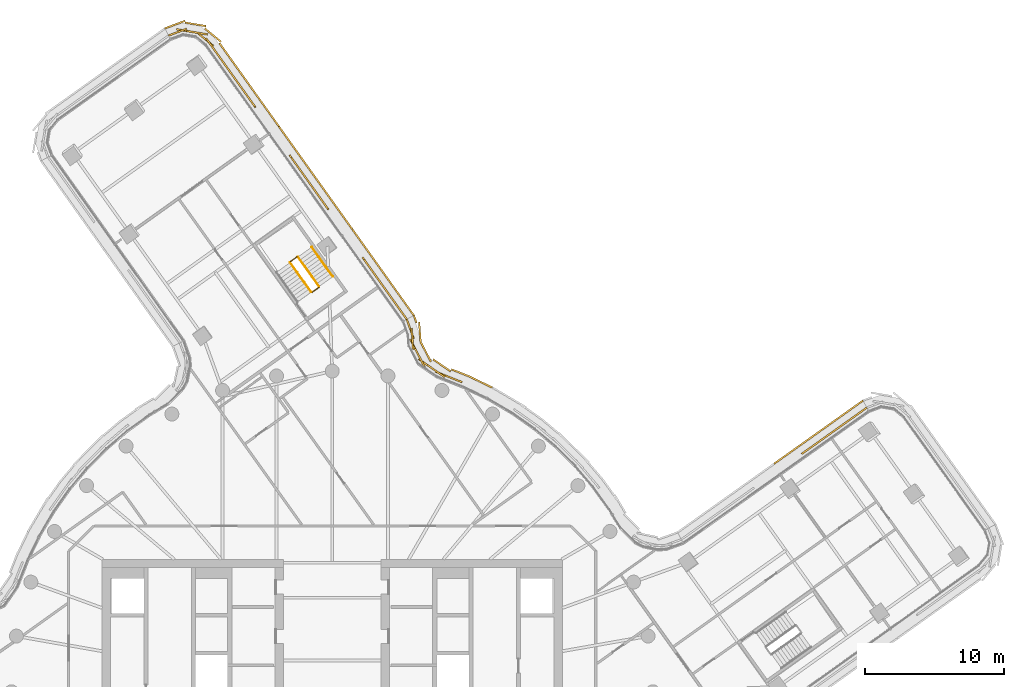
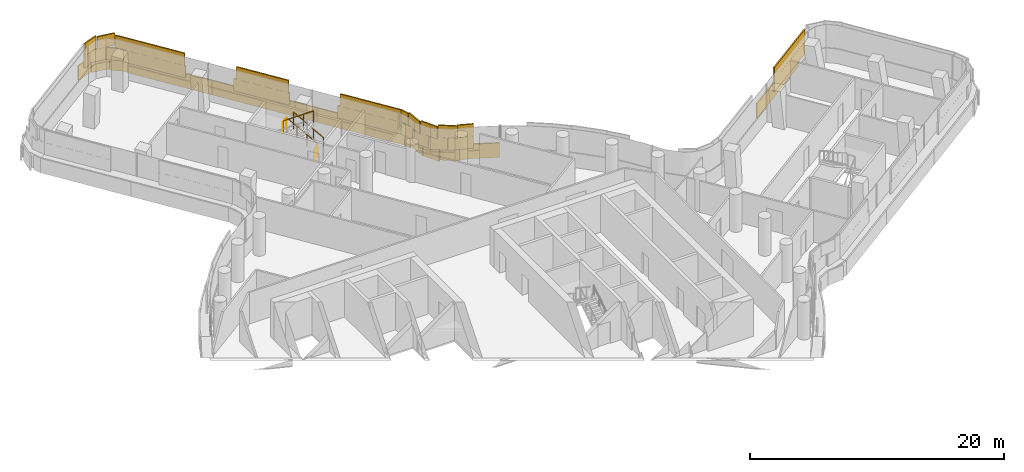
# One storey, part 31 of 31: 5 coverings, 5 railings.
"""IFC4 building model written with IfcOpenShell, lengths in metres."""

import ifcopenshell
import ifcopenshell.guid

model = None  # the IFC model being written
_history = None  # IfcOwnerHistory: only IFC2X3 demands one
_inside = {}  # id of a spatial element -> (the spatial element, [elements in it])
_under = {}  # id of a project, library or spatial element -> (it, [spatial elements below it])
_declared = {}  # id of a project -> (the project, [libraries it declares])
_typed = {}  # id of a type object -> (the type object, [elements of that type])
_made_of = {}  # id of a material, layer set ... -> (it, [elements and type objects made of it])


def new_model(schema):
    """Start an empty IFC model of exactly this schema.

    Asked for "IFC4X3", IfcOpenShell would pick the latest addendum, in which some entities
    have other attributes; the version numbers below select the first issue.
    IFC2X3 requires an IfcOwnerHistory on every rooted entity: one is made here for all.
    """
    global model, _history
    if schema == "IFC4X3":
        model = ifcopenshell.file(schema_version=(4, 3, 0, 0))
    else:
        model = ifcopenshell.file(schema=schema)
    _inside.clear()
    _under.clear()
    _declared.clear()
    _typed.clear()
    _made_of.clear()
    _history = None
    if model.schema == "IFC2X3":
        org = make("IfcOrganization", Name="unknown")
        user = make(
            "IfcPersonAndOrganization",
            ThePerson=make("IfcPerson", FamilyName="unknown"),
            TheOrganization=org,
        )
        app = make(
            "IfcApplication",
            ApplicationDeveloper=org,
            Version="unknown",
            ApplicationFullName="unknown",
            ApplicationIdentifier="unknown",
        )
        _history = make(
            "IfcOwnerHistory",
            OwningUser=user,
            OwningApplication=app,
            ChangeAction="ADDED",
            CreationDate=0,
        )
    return model


def make(cls, **values):
    """One entity of the class cls with the attributes given. An attribute that is None is left unset."""
    return model.create_entity(
        cls, **{name: value for name, value in values.items() if value is not None}
    )


def rooted(cls, **values):
    """An entity with a GlobalId (a new one), such as an element, a storey or a relation."""
    return make(cls, GlobalId=ifcopenshell.guid.new(), OwnerHistory=_history, **values)


def si_unit(unit_type, name, prefix=None):
    """IfcSIUnit, for example si_unit("LENGTHUNIT", "METRE", prefix="MILLI")."""
    return make("IfcSIUnit", UnitType=unit_type, Prefix=prefix, Name=name)


def assignment(units):
    """IfcUnitAssignment: the units of a project."""
    return None if units is None else make("IfcUnitAssignment", Units=units)


def point(xyz):
    """IfcCartesianPoint."""
    return None if xyz is None else make("IfcCartesianPoint", Coordinates=xyz)


def direction(xyz):
    """IfcDirection."""
    return None if xyz is None else make("IfcDirection", DirectionRatios=xyz)


def frame(location, z_axis=None, x_axis=None):
    """IfcAxis2Placement3D, a coordinate frame: its origin and axes. An axis left out is left unset."""
    return make(
        "IfcAxis2Placement3D",
        Location=point(location),
        Axis=direction(z_axis),
        RefDirection=direction(x_axis),
    )


def frame_2d(location, x_axis=None):
    """IfcAxis2Placement2D, a coordinate frame in the plane: its origin and x axis."""
    return make(
        "IfcAxis2Placement2D", Location=point(location), RefDirection=direction(x_axis)
    )


def origin():
    """The frame at (0, 0, 0) with its axes left unset."""
    return frame((0.0, 0.0, 0.0))


def origin_2d():
    """The frame at (0, 0) in the plane with its x axis left unset."""
    return frame_2d((0.0, 0.0))


def place(relative_to, where):
    """IfcLocalPlacement: puts the frame where relative to a parent placement (None: the world)."""
    return make(
        "IfcLocalPlacement", PlacementRelTo=relative_to, RelativePlacement=where
    )


def context(
    kind, dimensions, precision=None, world=None, true_north=None, identifier=None
):
    """IfcGeometricRepresentationContext, for example the 3D "Model" context."""
    return make(
        "IfcGeometricRepresentationContext",
        ContextIdentifier=identifier,
        ContextType=kind,
        CoordinateSpaceDimension=dimensions,
        Precision=precision,
        WorldCoordinateSystem=world,
        TrueNorth=true_north,
    )


def subcontext(parent, identifier, kind, view, scale=None):
    """IfcGeometricRepresentationSubContext, for example "Body" below "Model"."""
    return make(
        "IfcGeometricRepresentationSubContext",
        ContextIdentifier=identifier,
        ContextType=kind,
        ParentContext=parent,
        TargetScale=scale,
        TargetView=view,
    )


def project(units=None, contexts=None):
    """IfcProject with its units and contexts."""
    return rooted(
        "IfcProject",
        Name="project",
        RepresentationContexts=contexts,
        UnitsInContext=assignment(units),
    )


def spatial(cls, under=None, at=None, **own):
    """A site, building, storey or space (cls), placed at a placement, below another one or the project."""
    s = rooted(cls, ObjectPlacement=at, **own)
    if under is not None:
        _under.setdefault(under.id(), (under, []))[1].append(s)
    return s


def profile(cls, at=None, kind="AREA", **sizes):
    """A parametric profile (cls). Its sizes go by their IFC names, for example OverallWidth=200.0."""
    return make(cls, ProfileType=kind, Position=at, **sizes)


def rectangle(**sizes):
    """IfcRectangleProfileDef."""
    return profile("IfcRectangleProfileDef", **sizes)


def circle(**sizes):
    """IfcCircleProfileDef."""
    return profile("IfcCircleProfileDef", **sizes)


def extrude(swept, where, along, depth):
    """IfcExtrudedAreaSolid: the profile swept, set in the frame where, extruded along a direction by depth."""
    return make(
        "IfcExtrudedAreaSolid",
        SweptArea=swept,
        Position=where,
        ExtrudedDirection=direction(along),
        Depth=depth,
    )


def shape(context_of_items, identifier, shape_type, items):
    """IfcShapeRepresentation: the items that make up one representation, for example the "Body"."""
    return make(
        "IfcShapeRepresentation",
        ContextOfItems=context_of_items,
        RepresentationIdentifier=identifier,
        RepresentationType=shape_type,
        Items=items,
    )


def material(Name=None, Category=None):
    """IfcMaterial."""
    return make("IfcMaterial", Name=Name, Category=Category)


def layer(
    of_material, thickness, ventilated=None, Name=None, Category=None, Priority=None
):
    """IfcMaterialLayer: one layer of a wall or slab, of a material (None: an air gap)."""
    return make(
        "IfcMaterialLayer",
        Material=of_material,
        LayerThickness=thickness,
        IsVentilated=ventilated,
        Name=Name,
        Category=Category,
        Priority=Priority,
    )


def layer_set(layers, Name=None):
    """IfcMaterialLayerSet."""
    return make("IfcMaterialLayerSet", MaterialLayers=layers, LayerSetName=Name)


def made_of(thing, what):
    """Note that an element or type object is made of a material, layer set ...; save() writes the relation."""
    if what is not None:
        _made_of.setdefault(what.id(), (what, []))[1].append(thing)
    return thing


def type_object(cls, material=None, **own):
    """A type object (cls), such as IfcWallType, which elements share."""
    return made_of(rooted(cls, **own), material)


def element(
    cls,
    number,
    at=None,
    inside=None,
    cuts=None,
    type_object=None,
    material=None,
    context=None,
    identifier="Body",
    shape_type=None,
    held_by="IfcProductDefinitionShape",
    body=None,
    shapes=None,
    **own,
):
    """One element of the class cls, such as IfcWall. Its Tag is "e" and its number.

    at: its placement. inside: the storey or other place that contains it. cuts: it is an
    opening in that element (IfcRelVoidsElement). A single representation is given by context,
    identifier, shape_type and body (its items); several are given by shapes. held_by: the class
    of the entity that holds the representations. save() writes the other relations.
    """
    e = rooted(cls, Tag="e%d" % number, ObjectPlacement=at, **own)
    if body is not None:
        shapes = [shape(context, identifier, shape_type, body)]
    if shapes is not None:
        e.Representation = make(held_by, Representations=shapes)
    if inside is not None:
        _inside.setdefault(inside.id(), (inside, []))[1].append(e)
    if cuts is not None:
        rooted(
            "IfcRelVoidsElement", RelatingBuildingElement=cuts, RelatedOpeningElement=e
        )
    if type_object is not None:
        _typed.setdefault(type_object.id(), (type_object, []))[1].append(e)
    return made_of(e, material)


def aggregate(whole, parts):
    """IfcRelAggregates: a whole, such as a stair, and the parts it consists of."""
    return rooted("IfcRelAggregates", RelatingObject=whole, RelatedObjects=parts)


def save(model, path):
    """Write the relations noted so far, then the file.

    IfcRelAggregates (storeys below a building ...), IfcRelContainedInSpatialStructure (elements
    in a storey), IfcRelDefinesByType, IfcRelAssociatesMaterial and IfcRelDeclares: one each for
    every whole, place, type object, material and project.
    """
    for whole, parts in _under.values():
        aggregate(whole, parts)
    for where, things in _inside.values():
        rooted(
            "IfcRelContainedInSpatialStructure",
            RelatedElements=things,
            RelatingStructure=where,
        )
    for kind, things in _typed.values():
        rooted("IfcRelDefinesByType", RelatedObjects=things, RelatingType=kind)
    for what, things in _made_of.values():
        rooted("IfcRelAssociatesMaterial", RelatedObjects=things, RelatingMaterial=what)
    for by, libraries in _declared.values():
        rooted("IfcRelDeclares", RelatingContext=by, RelatedDefinitions=libraries)
    model.write(path)


model = new_model("IFC4")

# Units and contexts
model_context = context("Model", 3, precision=1e-05, world=origin(), true_north=direction((0.0, 1.0)))
body_context = subcontext(model_context, "Body", "Model", "MODEL_VIEW")
ifc_project = project(units=[si_unit("LENGTHUNIT", "METRE"), si_unit("AREAUNIT", "SQUARE_METRE"), si_unit("VOLUMEUNIT", "CUBIC_METRE"), si_unit("PLANEANGLEUNIT", "RADIAN"), si_unit("MASSUNIT", "GRAM", prefix="KILO")], contexts=[model_context])

# Site, building, storey
site_placement = place(None, origin())
site = spatial("IfcSite", under=ifc_project, at=site_placement, CompositionType="ELEMENT")
building_placement = place(site_placement, origin())
building = spatial("IfcBuilding", under=site, at=building_placement, Name="Tamarind Cross Interchange Tower", CompositionType="ELEMENT")
storey_placement = place(building_placement, frame((0.0, 0.0, 163.0)))
storey = spatial("IfcBuildingStorey", under=building, at=storey_placement, Name="L40", CompositionType="ELEMENT", Elevation=163.0)

# Railings
ifc_material_1 = material(Name="Stair guard")
railing_type_1 = type_object("IfcRailingType", Name="Stair guard", PredefinedType="GUARDRAIL", material=ifc_material_1)
railing_1_placement = place(storey_placement, frame((-0.93408203125, 29.073974609375, 0.17041015625)))
element("IfcRailing", 1, at=railing_1_placement, inside=storey, type_object=railing_type_1, Name="L40 ST4 stair guard 1", PredefinedType="GUARDRAIL", context=body_context, shape_type="SweptSolid", body=[
    extrude(circle(Radius=0.02392578125, at=origin_2d()), frame((0.0, 0.0, 1.076171875), z_axis=(-0.485880456641, 0.680641008196, 0.548313778612), x_axis=(-0.813898411492, -0.581007208019, 0.0)), (0.0, 0.0, 1.0), 3.10888671875),
    extrude(circle(Radius=0.02099609375, at=origin_2d()), origin(), (0.0, 0.0, 1.0), 1.052001953125),
    extrude(circle(Radius=0.02099609375, at=origin_2d()), frame((-0.50341796875, 0.705322265625, 0.568115234375)), (0.0, 0.0, 1.0), 1.052001953125),
    extrude(circle(Radius=0.02099609375, at=origin_2d()), frame((-1.007080078125, 1.41064453125, 1.136474609375)), (0.0, 0.0, 1.0), 1.052001953125),
    extrude(circle(Radius=0.02099609375, at=origin_2d()), frame((-1.510498046875, 2.115966796875, 1.70458984375)), (0.0, 0.0, 1.0), 1.052001953125),
])
railing_2_placement = place(storey_placement, frame((-2.514404296875, 31.20166015625, 1.875)))
element("IfcRailing", 2, at=railing_2_placement, inside=storey, type_object=railing_type_1, Name="L40 ST4 stair guard 2", PredefinedType="GUARDRAIL", context=body_context, shape_type="SweptSolid", body=[
    extrude(circle(Radius=0.02392578125, at=origin_2d()), frame((0.0, 0.0, 1.076171875), z_axis=(-0.813843435483, -0.581084212935, 0.0), x_axis=(0.581084212935, -0.813843435483, 0.0)), (0.0, 0.0, 1.0), 0.599853515625),
    extrude(circle(Radius=0.02099609375, at=origin_2d()), origin(), (0.0, 0.0, 1.0), 1.052001953125),
    extrude(circle(Radius=0.02099609375, at=origin_2d()), frame((-0.48828125, -0.3486328125, 0.0)), (0.0, 0.0, 1.0), 1.052001953125),
])
railing_3_placement = place(storey_placement, frame((-3.014404296875, 30.783203125, 2.04541015625)))
element("IfcRailing", 3, at=railing_3_placement, inside=storey, type_object=railing_type_1, Name="L40 ST4 stair guard 3", PredefinedType="GUARDRAIL", context=body_context, shape_type="SweptSolid", body=[
    extrude(circle(Radius=0.02392578125, at=origin_2d()), frame((0.0, 0.0, 1.076171875), z_axis=(0.485940445754, -0.680615036095, 0.548292855892), x_axis=(0.813854004365, 0.581069410293, 0.0)), (0.0, 0.0, 1.0), 3.10888671875),
    extrude(circle(Radius=0.02099609375, at=origin_2d()), origin(), (0.0, 0.0, 1.0), 1.052001953125),
    extrude(circle(Radius=0.02099609375, at=origin_2d()), frame((0.503662109375, -0.705322265625, 0.568115234375)), (0.0, 0.0, 1.0), 1.052001953125),
    extrude(circle(Radius=0.02099609375, at=origin_2d()), frame((1.007080078125, -1.41064453125, 1.136474609375)), (0.0, 0.0, 1.0), 1.052001953125),
    extrude(circle(Radius=0.02099609375, at=origin_2d()), frame((1.5107421875, -2.115966796875, 1.70458984375)), (0.0, 0.0, 1.0), 1.052001953125),
])
railing_4_placement = place(storey_placement, frame((-0.945556640625, 29.004150390625, 0.0)))
element("IfcRailing", 4, at=railing_4_placement, inside=storey, type_object=railing_type_1, Name="L40 ST4 stair guard 4", PredefinedType="GUARDRAIL", context=body_context, shape_type="SweptSolid", body=[
    extrude(circle(Radius=0.02392578125, at=origin_2d()), frame((0.0, 0.0, 1.076171875), z_axis=(-0.813980767979, -0.580891822426, 0.0), x_axis=(0.580891822426, -0.813980767979, 0.0)), (0.0, 0.0, 1.0), 0.60009765625),
    extrude(circle(Radius=0.02099609375, at=origin_2d()), origin(), (0.0, 0.0, 1.0), 1.052001953125),
    extrude(circle(Radius=0.02099609375, at=origin_2d()), frame((-0.488525390625, -0.3486328125, 0.0)), (0.0, 0.0, 1.0), 1.052001953125),
])
ifc_material_2 = material(Name="Stair handrail")
railing_type_2 = type_object("IfcRailingType", Name="Stair handrail", PredefinedType="HANDRAIL", material=ifc_material_2)
railing_5_placement = place(storey_placement, frame((0.042724609375, 29.771240234375, 0.17041015625)))
element("IfcRailing", 5, at=railing_5_placement, inside=storey, type_object=railing_type_2, Name="L40 ST4 stair handrail 1", PredefinedType="HANDRAIL", context=body_context, shape_type="SweptSolid", body=[
    extrude(circle(Radius=0.02392578125, at=origin_2d()), frame((0.0, 0.0, 0.8759765625), z_axis=(-0.485940445754, 0.680615036095, 0.548292855892), x_axis=(-0.813854004365, -0.581069410293, 0.0)), (0.0, 0.0, 1.0), 3.10888671875),
    extrude(circle(Radius=0.02099609375, at=origin_2d()), origin(), (0.0, 0.0, 1.0), 0.851806640625),
    extrude(circle(Radius=0.02099609375, at=origin_2d()), frame((-0.503662109375, 0.705322265625, 0.568115234375)), (0.0, 0.0, 1.0), 0.851806640625),
    extrude(circle(Radius=0.02099609375, at=origin_2d()), frame((-1.007080078125, 1.41064453125, 1.136474609375)), (0.0, 0.0, 1.0), 0.851806640625),
    extrude(circle(Radius=0.02099609375, at=origin_2d()), frame((-1.5107421875, 2.115966796875, 1.70458984375)), (0.0, 0.0, 1.0), 0.851806640625),
])

# Coverings
ifc_material_3 = material(Name="Terracotta", Category="masonry")
ifc_layer = layer(ifc_material_3, 0.1201171875)
ifc_layer_set = layer_set([ifc_layer], Name="Terracotta")
covering_type = type_object("IfcCoveringType", Name="Terracotta baguette screen unit", PredefinedType="MOLDING", material=ifc_layer_set)
covering_1_placement = place(storey_placement, origin())
element("IfcCovering", 6, at=covering_1_placement, inside=storey, type_object=covering_type, Name="SCR-L40-05-00", PredefinedType="MOLDING", context=body_context, shape_type="SweptSolid", body=[
    extrude(rectangle(XDim=1.510009765625, YDim=0.1201171875, at=origin_2d()), frame((37.72900390625, 19.9423828125, 1.404052734375), z_axis=(0.0, 0.0, 1.0), x_axis=(-0.815214734027, -0.579158818828, 0.0)), (0.0, 0.0, 1.0), 1.1669921875),
    extrude(rectangle(XDim=1.52001953125, YDim=0.1201171875, at=origin_2d()), frame((36.50634765625, 19.07373046875, 1.404052734375), z_axis=(0.0, 0.0, 1.0), x_axis=(-0.815214734027, -0.579158818828, 0.0)), (0.0, 0.0, 1.0), 1.1669921875),
    extrude(rectangle(XDim=1.52001953125, YDim=0.1201171875, at=origin_2d()), frame((35.283447265625, 18.205078125, 1.404052734375), z_axis=(0.0, 0.0, 1.0), x_axis=(-0.815214734027, -0.579158818828, 0.0)), (0.0, 0.0, 1.0), 1.1669921875),
    extrude(rectangle(XDim=1.236572265625, YDim=0.1201171875, at=origin_2d()), frame((34.172119140625, 17.41552734375, 1.404052734375), z_axis=(0.0, 0.0, 1.0), x_axis=(-0.815214734027, -0.579158818828, 0.0)), (0.0, 0.0, 1.0), 1.1669921875),
    extrude(rectangle(XDim=0.760009765625, YDim=0.1201171875, at=origin_2d()), frame((38.03466796875, 20.15966796875, 2.5791015625), z_axis=(0.0, 0.0, 1.0), x_axis=(-0.815214734027, -0.579158818828, 0.0)), (0.0, 0.0, 1.0), 1.1669921875),
    extrude(rectangle(XDim=1.52001953125, YDim=0.1201171875, at=origin_2d()), frame((37.11767578125, 19.508056640625, 2.5791015625), z_axis=(0.0, 0.0, 1.0), x_axis=(-0.815214734027, -0.579158818828, 0.0)), (0.0, 0.0, 1.0), 1.1669921875),
    extrude(rectangle(XDim=1.52001953125, YDim=0.1201171875, at=origin_2d()), frame((35.894775390625, 18.639404296875, 2.5791015625), z_axis=(0.0, 0.0, 1.0), x_axis=(-0.815214734027, -0.579158818828, 0.0)), (0.0, 0.0, 1.0), 1.1669921875),
    extrude(rectangle(XDim=1.52001953125, YDim=0.1201171875, at=origin_2d()), frame((34.671875, 17.7705078125, 2.5791015625), z_axis=(0.0, 0.0, 1.0), x_axis=(-0.815214734027, -0.579158818828, 0.0)), (0.0, 0.0, 1.0), 1.1669921875),
    extrude(rectangle(XDim=0.486572265625, YDim=0.1201171875, at=origin_2d()), frame((33.866455078125, 17.1982421875, 2.5791015625), z_axis=(0.0, 0.0, 1.0), x_axis=(-0.815214734027, -0.579158818828, 0.0)), (0.0, 0.0, 1.0), 1.1669921875),
    extrude(rectangle(XDim=1.510009765625, YDim=0.1201171875, at=origin_2d()), frame((37.45361328125, 20.450927734375, 0.00390625), z_axis=(0.0, 0.0, 1.0), x_axis=(-0.815214734027, -0.579158818828, 0.0)), (0.0, 0.0, 1.0), 1.39208984375),
    extrude(rectangle(XDim=1.52001953125, YDim=0.1201171875, at=origin_2d()), frame((36.23486328125, 19.5849609375, 0.00390625), z_axis=(0.0, 0.0, 1.0), x_axis=(-0.815214734027, -0.579158818828, 0.0)), (0.0, 0.0, 1.0), 1.39208984375),
    extrude(rectangle(XDim=1.52001953125, YDim=0.1201171875, at=origin_2d()), frame((35.011962890625, 18.71630859375, 0.00390625), z_axis=(0.0, 0.0, 1.0), x_axis=(-0.815214734027, -0.579158818828, 0.0)), (0.0, 0.0, 1.0), 1.39208984375),
    extrude(rectangle(XDim=1.52001953125, YDim=0.1201171875, at=origin_2d()), frame((33.789306640625, 17.84765625, 0.00390625), z_axis=(0.0, 0.0, 1.0), x_axis=(-0.815214734027, -0.579158818828, 0.0)), (0.0, 0.0, 1.0), 1.39208984375),
    extrude(rectangle(XDim=1.52001953125, YDim=0.1201171875, at=origin_2d()), frame((32.56640625, 16.978759765625, 0.00390625), z_axis=(0.0, 0.0, 1.0), x_axis=(-0.815214734027, -0.579158818828, 0.0)), (0.0, 0.0, 1.0), 1.39208984375),
    extrude(rectangle(XDim=0.33447265625, YDim=0.1201171875, at=origin_2d()), frame((31.82666015625, 16.453369140625, 0.00390625), z_axis=(0.0, 0.0, 1.0), x_axis=(-0.815214734027, -0.579158818828, 0.0)), (0.0, 0.0, 1.0), 1.39208984375),
])
covering_2_placement = place(storey_placement, origin())
element("IfcCovering", 7, at=covering_2_placement, inside=storey, type_object=covering_type, Name="SCR-L40-06-01", PredefinedType="MOLDING", context=body_context, shape_type="SweptSolid", body=[
    extrude(rectangle(XDim=0.55224609375, YDim=0.1201171875, at=origin_2d()), frame((9.058837890625, 22.305419921875, 1.404052734375), z_axis=(0.0, 0.0, 1.0), x_axis=(-0.929638518993, 0.368472826685, 0.0)), (0.0, 0.0, 1.0), 1.1669921875),
    extrude(rectangle(XDim=1.52001953125, YDim=0.1201171875, at=origin_2d()), frame((8.109619140625, 22.681640625, 1.404052734375), z_axis=(0.0, 0.0, 1.0), x_axis=(-0.929638518993, 0.368472826685, 0.0)), (0.0, 0.0, 1.0), 1.1669921875),
    extrude(rectangle(XDim=1.52001953125, YDim=0.1201171875, at=origin_2d()), frame((6.821044921875, 23.432861328125, 1.404052734375), z_axis=(0.0, 0.0, 1.0), x_axis=(-0.823085958807, 0.567916811175, 0.0)), (0.0, 0.0, 1.0), 1.1669921875),
    extrude(rectangle(XDim=1.52001953125, YDim=0.1201171875, at=origin_2d()), frame((5.947998046875, 24.603515625, 1.404052734375), z_axis=(0.0, 0.0, 1.0), x_axis=(-0.460191844136, 0.887819501132, 0.0)), (0.0, 0.0, 1.0), 1.1669921875),
    extrude(rectangle(XDim=1.4814453125, YDim=0.1201171875, at=origin_2d()), frame((5.595947265625, 26.0234375, 1.404052734375), z_axis=(0.0, 0.0, 1.0), x_axis=(-0.340894059929, 0.94010171785, 0.0)), (0.0, 0.0, 1.0), 1.1669921875),
    extrude(rectangle(XDim=1.30224609375, YDim=0.1201171875, at=origin_2d()), frame((8.710205078125, 22.443603515625, 2.5791015625), z_axis=(0.0, 0.0, 1.0), x_axis=(-0.929638518993, 0.368472826685, 0.0)), (0.0, 0.0, 1.0), 1.1669921875),
    extrude(rectangle(XDim=1.52001953125, YDim=0.1201171875, at=origin_2d()), frame((7.4384765625, 23.0068359375, 2.5791015625), z_axis=(0.0, 0.0, 1.0), x_axis=(-0.823085958807, 0.567916811175, 0.0)), (0.0, 0.0, 1.0), 1.1669921875),
    extrude(rectangle(XDim=1.52001953125, YDim=0.1201171875, at=origin_2d()), frame((6.293212890625, 23.937744140625, 2.5791015625), z_axis=(0.0, 0.0, 1.0), x_axis=(-0.460191844136, 0.887819501132, 0.0)), (0.0, 0.0, 1.0), 1.1669921875),
    extrude(rectangle(XDim=1.52001953125, YDim=0.1201171875, at=origin_2d()), frame((5.748291015625, 25.310546875, 2.5791015625), z_axis=(0.0, 0.0, 1.0), x_axis=(-0.075666326087, 0.997133194261, 0.0)), (0.0, 0.0, 1.0), 1.1669921875),
    extrude(rectangle(XDim=0.7314453125, YDim=0.1201171875, at=origin_2d()), frame((5.468017578125, 26.3759765625, 2.5791015625), z_axis=(0.0, 0.0, 1.0), x_axis=(-0.340894059929, 0.94010171785, 0.0)), (0.0, 0.0, 1.0), 1.1669921875),
    extrude(rectangle(XDim=0.2119140625, YDim=0.1201171875, at=origin_2d()), frame((11.382080078125, 21.864990234375, 0.00390625), z_axis=(0.0, 0.0, 1.0), x_axis=(-0.900272776334, 0.435326231914, 0.0)), (0.0, 0.0, 1.0), 1.39208984375),
    extrude(rectangle(XDim=1.52001953125, YDim=0.1201171875, at=origin_2d()), frame((10.62060546875, 22.2333984375, 0.00390625), z_axis=(0.0, 0.0, 1.0), x_axis=(-0.900272776334, 0.435326231914, 0.0)), (0.0, 0.0, 1.0), 1.39208984375),
    extrude(rectangle(XDim=1.52001953125, YDim=0.1201171875, at=origin_2d()), frame((9.25244140625, 22.84619140625, 0.00390625), z_axis=(0.0, 0.0, 1.0), x_axis=(-0.929638518993, 0.368472826685, 0.0)), (0.0, 0.0, 1.0), 1.39208984375),
    extrude(rectangle(XDim=1.52001953125, YDim=0.1201171875, at=origin_2d()), frame((7.8642578125, 23.410400390625, 0.00390625), z_axis=(0.0, 0.0, 1.0), x_axis=(-0.823085958807, 0.567916811175, 0.0)), (0.0, 0.0, 1.0), 1.39208984375),
    extrude(rectangle(XDim=1.52001953125, YDim=0.1201171875, at=origin_2d()), frame((6.72705078125, 24.34814453125, 0.00390625), z_axis=(0.0, 0.0, 1.0), x_axis=(-0.460191844136, 0.887819501132, 0.0)), (0.0, 0.0, 1.0), 1.39208984375),
    extrude(rectangle(XDim=1.52001953125, YDim=0.1201171875, at=origin_2d()), frame((6.290283203125, 25.751953125, 0.00390625), z_axis=(0.0, 0.0, 1.0), x_axis=(-0.075666326087, 0.997133194261, 0.0)), (0.0, 0.0, 1.0), 1.39208984375),
    extrude(rectangle(XDim=0.568115234375, YDim=0.1201171875, at=origin_2d()), frame((5.954833984375, 26.7177734375, 0.00390625), z_axis=(0.0, 0.0, 1.0), x_axis=(-0.340894059929, 0.94010171785, 0.0)), (0.0, 0.0, 1.0), 1.39208984375),
])
covering_3_placement = place(storey_placement, origin())
element("IfcCovering", 8, at=covering_3_placement, inside=storey, type_object=covering_type, Name="SCR-L40-07-00", PredefinedType="MOLDING", context=body_context, shape_type="SweptSolid", body=[
    extrude(rectangle(XDim=1.510009765625, YDim=0.1201171875, at=origin_2d()), frame((4.909423828125, 27.32568359375, 1.404052734375), z_axis=(0.0, 0.0, 1.0), x_axis=(-0.581032556811, 0.81388031548, 0.0)), (0.0, 0.0, 1.0), 1.1669921875),
    extrude(rectangle(XDim=1.52001953125, YDim=0.1201171875, at=origin_2d()), frame((4.037841796875, 28.54638671875, 1.404052734375), z_axis=(0.0, 0.0, 1.0), x_axis=(-0.581032556811, 0.81388031548, 0.0)), (0.0, 0.0, 1.0), 1.1669921875),
    extrude(rectangle(XDim=1.52001953125, YDim=0.1201171875, at=origin_2d()), frame((3.166259765625, 29.767333984375, 1.404052734375), z_axis=(0.0, 0.0, 1.0), x_axis=(-0.581032556811, 0.81388031548, 0.0)), (0.0, 0.0, 1.0), 1.1669921875),
    extrude(rectangle(XDim=0.973388671875, YDim=0.1201171875, at=origin_2d()), frame((2.45068359375, 30.76953125, 1.404052734375), z_axis=(0.0, 0.0, 1.0), x_axis=(-0.581032556811, 0.81388031548, 0.0)), (0.0, 0.0, 1.0), 1.1669921875),
    extrude(rectangle(XDim=0.760009765625, YDim=0.1201171875, at=origin_2d()), frame((5.127197265625, 27.0205078125, 2.5791015625), z_axis=(0.0, 0.0, 1.0), x_axis=(-0.581032556811, 0.81388031548, 0.0)), (0.0, 0.0, 1.0), 1.1669921875),
    extrude(rectangle(XDim=1.52001953125, YDim=0.1201171875, at=origin_2d()), frame((4.4736328125, 27.93603515625, 2.5791015625), z_axis=(0.0, 0.0, 1.0), x_axis=(-0.581032556811, 0.81388031548, 0.0)), (0.0, 0.0, 1.0), 1.1669921875),
    extrude(rectangle(XDim=1.52001953125, YDim=0.1201171875, at=origin_2d()), frame((3.60205078125, 29.15673828125, 2.5791015625), z_axis=(0.0, 0.0, 1.0), x_axis=(-0.581032556811, 0.81388031548, 0.0)), (0.0, 0.0, 1.0), 1.1669921875),
    extrude(rectangle(XDim=1.52001953125, YDim=0.1201171875, at=origin_2d()), frame((2.73046875, 30.377685546875, 2.5791015625), z_axis=(0.0, 0.0, 1.0), x_axis=(-0.581032556811, 0.81388031548, 0.0)), (0.0, 0.0, 1.0), 1.1669921875),
    extrude(rectangle(XDim=1.510009765625, YDim=0.1201171875, at=origin_2d()), frame((5.41943359375, 27.59912109375, 0.00390625), z_axis=(0.0, 0.0, 1.0), x_axis=(-0.581032556811, 0.81388031548, 0.0)), (0.0, 0.0, 1.0), 1.39208984375),
    extrude(rectangle(XDim=1.52001953125, YDim=0.1201171875, at=origin_2d()), frame((4.55078125, 28.81591796875, 0.00390625), z_axis=(0.0, 0.0, 1.0), x_axis=(-0.581032556811, 0.81388031548, 0.0)), (0.0, 0.0, 1.0), 1.39208984375),
    extrude(rectangle(XDim=1.52001953125, YDim=0.1201171875, at=origin_2d()), frame((3.67919921875, 30.036865234375, 0.00390625), z_axis=(0.0, 0.0, 1.0), x_axis=(-0.581032556811, 0.81388031548, 0.0)), (0.0, 0.0, 1.0), 1.39208984375),
    extrude(rectangle(XDim=1.52001953125, YDim=0.1201171875, at=origin_2d()), frame((2.8076171875, 31.257568359375, 0.00390625), z_axis=(0.0, 0.0, 1.0), x_axis=(-0.581032556811, 0.81388031548, 0.0)), (0.0, 0.0, 1.0), 1.39208984375),
    extrude(rectangle(XDim=1.52001953125, YDim=0.1201171875, at=origin_2d()), frame((1.93603515625, 32.478515625, 0.00390625), z_axis=(0.0, 0.0, 1.0), x_axis=(-0.581032556811, 0.81388031548, 0.0)), (0.0, 0.0, 1.0), 1.39208984375),
    extrude(rectangle(XDim=0.12109375, YDim=0.1201171875, at=origin_2d()), frame((1.470947265625, 33.1298828125, 0.00390625), z_axis=(0.0, 0.0, 1.0), x_axis=(-0.581032556811, 0.81388031548, 0.0)), (0.0, 0.0, 1.0), 1.39208984375),
])
covering_4_placement = place(storey_placement, origin())
element("IfcCovering", 9, at=covering_4_placement, inside=storey, type_object=covering_type, Name="SCR-L40-07-01", PredefinedType="MOLDING", context=body_context, shape_type="SweptSolid", body=[
    extrude(rectangle(XDim=0.8466796875, YDim=0.1201171875, at=origin_2d()), frame((-0.5126953125, 34.92041015625, 1.404052734375), z_axis=(0.0, 0.0, 1.0), x_axis=(-0.581032556811, 0.81388031548, 0.0)), (0.0, 0.0, 1.0), 1.1669921875),
    extrude(rectangle(XDim=1.52001953125, YDim=0.1201171875, at=origin_2d()), frame((-1.19140625, 35.871337890625, 1.404052734375), z_axis=(0.0, 0.0, 1.0), x_axis=(-0.581032556811, 0.81388031548, 0.0)), (0.0, 0.0, 1.0), 1.1669921875),
    extrude(rectangle(XDim=1.52001953125, YDim=0.1201171875, at=origin_2d()), frame((-2.06298828125, 37.092041015625, 1.404052734375), z_axis=(0.0, 0.0, 1.0), x_axis=(-0.581032556811, 0.81388031548, 0.0)), (0.0, 0.0, 1.0), 1.1669921875),
    extrude(rectangle(XDim=0.982177734375, YDim=0.1201171875, at=origin_2d()), frame((-2.78125, 38.09814453125, 1.404052734375), z_axis=(0.0, 0.0, 1.0), x_axis=(-0.581032556811, 0.81388031548, 0.0)), (0.0, 0.0, 1.0), 1.1669921875),
    extrude(rectangle(XDim=1.52001953125, YDim=0.1201171875, at=origin_2d()), frame((-0.755615234375, 35.260986328125, 2.5791015625), z_axis=(0.0, 0.0, 1.0), x_axis=(-0.581032556811, 0.81388031548, 0.0)), (0.0, 0.0, 1.0), 1.1669921875),
    extrude(rectangle(XDim=1.52001953125, YDim=0.1201171875, at=origin_2d()), frame((-1.627197265625, 36.481689453125, 2.5791015625), z_axis=(0.0, 0.0, 1.0), x_axis=(-0.581032556811, 0.81388031548, 0.0)), (0.0, 0.0, 1.0), 1.1669921875),
    extrude(rectangle(XDim=1.52001953125, YDim=0.1201171875, at=origin_2d()), frame((-2.498779296875, 37.70263671875, 2.5791015625), z_axis=(0.0, 0.0, 1.0), x_axis=(-0.581032556811, 0.81388031548, 0.0)), (0.0, 0.0, 1.0), 1.1669921875),
    extrude(rectangle(XDim=1.39892578125, YDim=0.1201171875, at=origin_2d()), frame((1.029296875, 33.74853515625, 0.00390625), z_axis=(0.0, 0.0, 1.0), x_axis=(-0.581032556811, 0.81388031548, 0.0)), (0.0, 0.0, 1.0), 1.39208984375),
    extrude(rectangle(XDim=1.52001953125, YDim=0.1201171875, at=origin_2d()), frame((0.19287109375, 34.920166015625, 0.00390625), z_axis=(0.0, 0.0, 1.0), x_axis=(-0.581032556811, 0.81388031548, 0.0)), (0.0, 0.0, 1.0), 1.39208984375),
    extrude(rectangle(XDim=1.52001953125, YDim=0.1201171875, at=origin_2d()), frame((-0.6787109375, 36.140869140625, 0.00390625), z_axis=(0.0, 0.0, 1.0), x_axis=(-0.581032556811, 0.81388031548, 0.0)), (0.0, 0.0, 1.0), 1.39208984375),
    extrude(rectangle(XDim=1.52001953125, YDim=0.1201171875, at=origin_2d()), frame((-1.55029296875, 37.36181640625, 0.00390625), z_axis=(0.0, 0.0, 1.0), x_axis=(-0.581032556811, 0.81388031548, 0.0)), (0.0, 0.0, 1.0), 1.39208984375),
    extrude(rectangle(XDim=1.52001953125, YDim=0.1201171875, at=origin_2d()), frame((-2.421630859375, 38.58251953125, 0.00390625), z_axis=(0.0, 0.0, 1.0), x_axis=(-0.581032556811, 0.81388031548, 0.0)), (0.0, 0.0, 1.0), 1.39208984375),
    extrude(rectangle(XDim=1.52001953125, YDim=0.1201171875, at=origin_2d()), frame((-3.293212890625, 39.803466796875, 0.00390625), z_axis=(0.0, 0.0, 1.0), x_axis=(-0.581032556811, 0.81388031548, 0.0)), (0.0, 0.0, 1.0), 1.39208984375),
    extrude(rectangle(XDim=0.186767578125, YDim=0.1201171875, at=origin_2d()), frame((-3.777587890625, 40.481689453125, 0.00390625), z_axis=(0.0, 0.0, 1.0), x_axis=(-0.581032556811, 0.81388031548, 0.0)), (0.0, 0.0, 1.0), 1.39208984375),
])
covering_5_placement = place(storey_placement, origin())
element("IfcCovering", 10, at=covering_5_placement, inside=storey, type_object=covering_type, Name="SCR-L40-07-02", PredefinedType="MOLDING", context=body_context, shape_type="SweptSolid", body=[
    extrude(rectangle(XDim=0.837890625, YDim=0.1201171875, at=origin_2d()), frame((-5.744384765625, 42.2490234375, 1.404052734375), z_axis=(0.0, 0.0, 1.0), x_axis=(-0.581032556811, 0.81388031548, 0.0)), (0.0, 0.0, 1.0), 1.1669921875),
    extrude(rectangle(XDim=1.52001953125, YDim=0.1201171875, at=origin_2d()), frame((-6.420654296875, 43.1962890625, 1.404052734375), z_axis=(0.0, 0.0, 1.0), x_axis=(-0.581032556811, 0.81388031548, 0.0)), (0.0, 0.0, 1.0), 1.1669921875),
    extrude(rectangle(XDim=1.52001953125, YDim=0.1201171875, at=origin_2d()), frame((-7.292236328125, 44.4169921875, 1.404052734375), z_axis=(0.0, 0.0, 1.0), x_axis=(-0.581032556811, 0.81388031548, 0.0)), (0.0, 0.0, 1.0), 1.1669921875),
    extrude(rectangle(XDim=1.52001953125, YDim=0.1201171875, at=origin_2d()), frame((-8.163818359375, 45.637939453125, 1.404052734375), z_axis=(0.0, 0.0, 1.0), x_axis=(-0.581032556811, 0.81388031548, 0.0)), (0.0, 0.0, 1.0), 1.1669921875),
    extrude(rectangle(XDim=1.52001953125, YDim=0.1201171875, at=origin_2d()), frame((-9.100830078125, 46.797607421875, 1.404052734375), z_axis=(0.0, 0.0, 1.0), x_axis=(-0.771882078618, 0.635765724703, 0.0)), (0.0, 0.0, 1.0), 1.1669921875),
    extrude(rectangle(XDim=1.52001953125, YDim=0.1201171875, at=origin_2d()), frame((-10.42431640625, 47.387451171875, 1.404052734375), z_axis=(0.0, 0.0, 1.0), x_axis=(-0.986352351161, 0.164648229139, 0.0)), (0.0, 0.0, 1.0), 1.1669921875),
    extrude(rectangle(XDim=0.642822265625, YDim=0.1201171875, at=origin_2d()), frame((-11.4384765625, 47.17431640625, 1.404052734375), z_axis=(0.0, 0.0, 1.0), x_axis=(-0.936530307758, -0.350586626458, 0.0)), (0.0, 0.0, 1.0), 1.1669921875),
    extrude(rectangle(XDim=1.52001953125, YDim=0.1201171875, at=origin_2d()), frame((-5.98486328125, 42.5859375, 2.5791015625), z_axis=(0.0, 0.0, 1.0), x_axis=(-0.581032556811, 0.81388031548, 0.0)), (0.0, 0.0, 1.0), 1.1669921875),
    extrude(rectangle(XDim=1.52001953125, YDim=0.1201171875, at=origin_2d()), frame((-6.8564453125, 43.806640625, 2.5791015625), z_axis=(0.0, 0.0, 1.0), x_axis=(-0.581032556811, 0.81388031548, 0.0)), (0.0, 0.0, 1.0), 1.1669921875),
    extrude(rectangle(XDim=1.52001953125, YDim=0.1201171875, at=origin_2d()), frame((-7.72802734375, 45.027587890625, 2.5791015625), z_axis=(0.0, 0.0, 1.0), x_axis=(-0.581032556811, 0.81388031548, 0.0)), (0.0, 0.0, 1.0), 1.1669921875),
    extrude(rectangle(XDim=1.52001953125, YDim=0.1201171875, at=origin_2d()), frame((-8.599609375, 46.248291015625, 2.5791015625), z_axis=(0.0, 0.0, 1.0), x_axis=(-0.581032556811, 0.81388031548, 0.0)), (0.0, 0.0, 1.0), 1.1669921875),
    extrude(rectangle(XDim=1.52001953125, YDim=0.1201171875, at=origin_2d()), frame((-9.6845703125, 47.26416015625, 2.5791015625), z_axis=(0.0, 0.0, 1.0), x_axis=(-0.986352351161, 0.164648229139, 0.0)), (0.0, 0.0, 1.0), 1.1669921875),
    extrude(rectangle(XDim=1.392822265625, YDim=0.1201171875, at=origin_2d()), frame((-11.08740234375, 47.3056640625, 2.5791015625), z_axis=(0.0, 0.0, 1.0), x_axis=(-0.936530307758, -0.350586626458, 0.0)), (0.0, 0.0, 1.0), 1.1669921875),
    extrude(rectangle(XDim=1.3330078125, YDim=0.1201171875, at=origin_2d()), frame((-4.218994140625, 41.100341796875, 0.00390625), z_axis=(0.0, 0.0, 1.0), x_axis=(-0.581032556811, 0.81388031548, 0.0)), (0.0, 0.0, 1.0), 1.39208984375),
    extrude(rectangle(XDim=1.52001953125, YDim=0.1201171875, at=origin_2d()), frame((-5.036376953125, 42.2451171875, 0.00390625), z_axis=(0.0, 0.0, 1.0), x_axis=(-0.581032556811, 0.81388031548, 0.0)), (0.0, 0.0, 1.0), 1.39208984375),
    extrude(rectangle(XDim=1.52001953125, YDim=0.1201171875, at=origin_2d()), frame((-5.907958984375, 43.4658203125, 0.00390625), z_axis=(0.0, 0.0, 1.0), x_axis=(-0.581032556811, 0.81388031548, 0.0)), (0.0, 0.0, 1.0), 1.39208984375),
    extrude(rectangle(XDim=1.52001953125, YDim=0.1201171875, at=origin_2d()), frame((-6.779541015625, 44.6865234375, 0.00390625), z_axis=(0.0, 0.0, 1.0), x_axis=(-0.581032556811, 0.81388031548, 0.0)), (0.0, 0.0, 1.0), 1.39208984375),
    extrude(rectangle(XDim=1.52001953125, YDim=0.1201171875, at=origin_2d()), frame((-7.651123046875, 45.907470703125, 0.00390625), z_axis=(0.0, 0.0, 1.0), x_axis=(-0.581032556811, 0.81388031548, 0.0)), (0.0, 0.0, 1.0), 1.39208984375),
    extrude(rectangle(XDim=1.52001953125, YDim=0.1201171875, at=origin_2d()), frame((-8.55859375, 47.0947265625, 0.00390625), z_axis=(0.0, 0.0, 1.0), x_axis=(-0.771882078618, 0.635765724703, 0.0)), (0.0, 0.0, 1.0), 1.39208984375),
    extrude(rectangle(XDim=1.52001953125, YDim=0.1201171875, at=origin_2d()), frame((-9.7998046875, 47.865234375, 0.00390625), z_axis=(0.0, 0.0, 1.0), x_axis=(-0.986352351161, 0.164648229139, 0.0)), (0.0, 0.0, 1.0), 1.39208984375),
    extrude(rectangle(XDim=1.52001953125, YDim=0.1201171875, at=origin_2d()), frame((-11.254638671875, 47.85595703125, 0.00390625), z_axis=(0.0, 0.0, 1.0), x_axis=(-0.936530307758, -0.350586626458, 0.0)), (0.0, 0.0, 1.0), 1.39208984375),
    extrude(rectangle(XDim=0.063232421875, YDim=0.1201171875, at=origin_2d()), frame((-11.977294921875, 47.58544921875, 0.00390625), z_axis=(0.0, 0.0, 1.0), x_axis=(-0.936530307758, -0.350586626458, 0.0)), (0.0, 0.0, 1.0), 1.39208984375),
])

save(model, "model.ifc")
